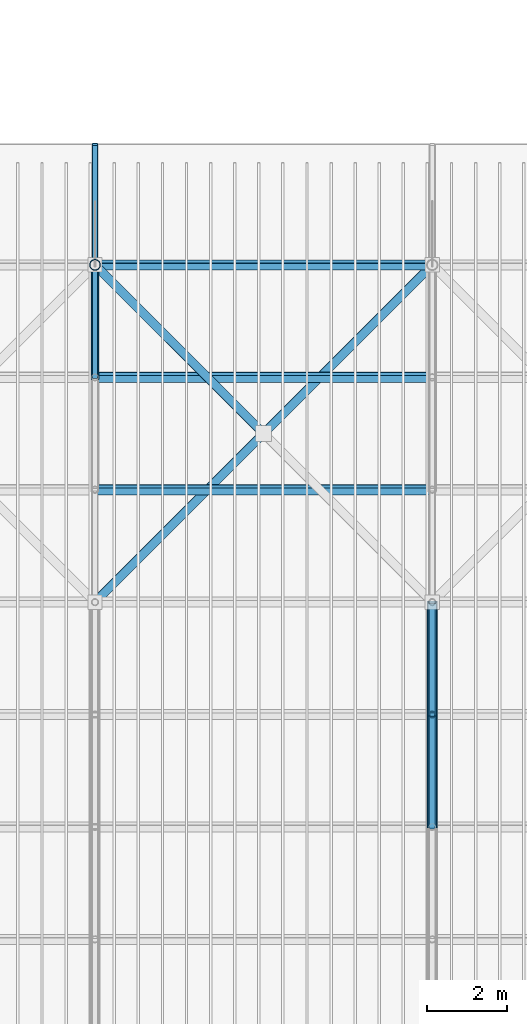
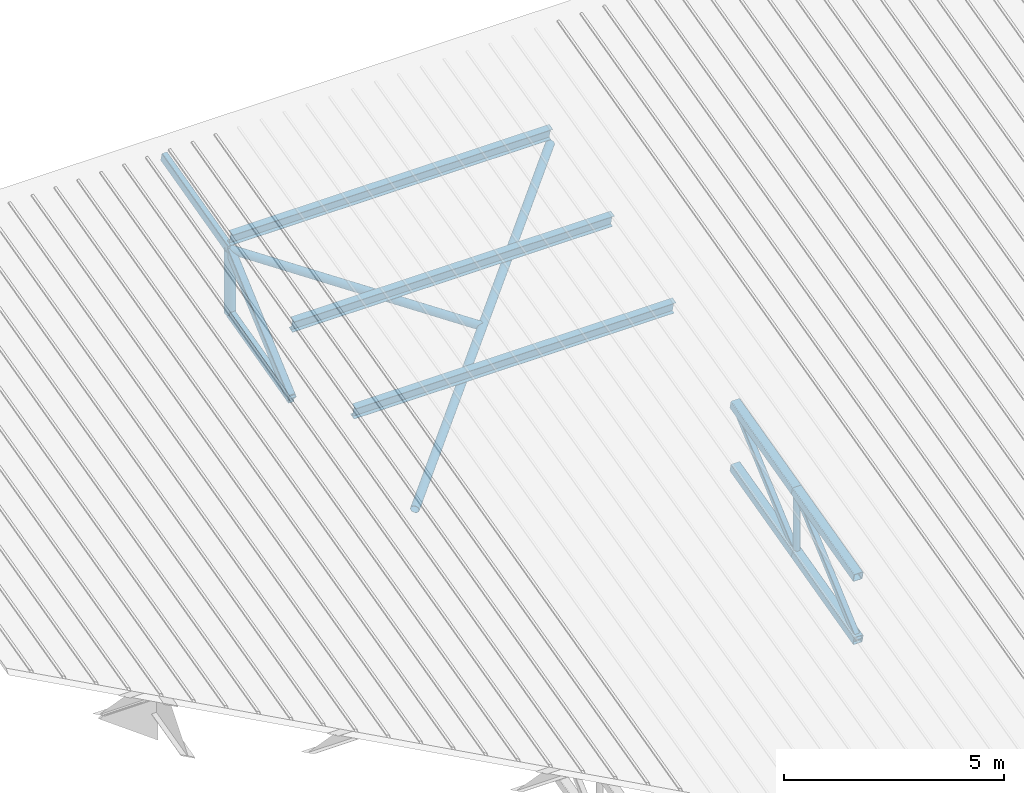
# One storey, part 12 of 114: 16 members.
"""IFC4 building model written with IfcOpenShell, lengths in metres."""

from ifc_helpers import new_model, si_unit, direction, frame, origin, origin_2d, place, context, subcontext, project, spatial, hollow_rectangle, hollow_circle, i_section, extrude, material, material_profile, profile_set, type_object, element, save


model = new_model("IFC4")

# Units and contexts
model_context = context("Model", 3, precision=1e-05, world=origin(), true_north=direction((0.0, 1.0)))
body_context = subcontext(model_context, "Body", "Model", "MODEL_VIEW")
ifc_project = project(units=[si_unit("LENGTHUNIT", "METRE"), si_unit("AREAUNIT", "SQUARE_METRE"), si_unit("VOLUMEUNIT", "CUBIC_METRE"), si_unit("PLANEANGLEUNIT", "RADIAN"), si_unit("MASSUNIT", "GRAM", prefix="KILO")], contexts=[model_context])

# Site, building, storey
site_placement = place(None, origin())
site = spatial("IfcSite", under=ifc_project, at=site_placement, CompositionType="ELEMENT")
building_placement = place(site_placement, origin())
building = spatial("IfcBuilding", under=site, at=building_placement, Name="Almond Square Museum", CompositionType="ELEMENT")
storey_placement = place(building_placement, frame((0.0, 0.0, 10.5)))
storey = spatial("IfcBuildingStorey", under=building, at=storey_placement, Name="L02", CompositionType="ELEMENT", Elevation=10.5)

# Members
ifc_material_1 = material(Name="Structural steel S355", Category="steel")
ifc_material_profile_1 = material_profile(ifc_material_1, hollow_circle(Radius=0.109619140625, WallThickness=0.010009765625, at=origin_2d()))
ifc_profile_set_1 = profile_set([ifc_material_profile_1], Name="Structural steel S355")
member_type_1 = type_object("IfcMemberType", Name="Roof brace CHS 219.1x10", PredefinedType="BRACE", material=ifc_profile_set_1)
member_1_placement = place(storey_placement, frame((14.39990234375, 100.800048828125, 6.9794921875), z_axis=(0.696068249646, 0.69604801922, 0.176085623417), x_axis=(-0.707096505339, 0.707117056885, 0.0)))
element("IfcMember", 1, at=member_1_placement, inside=storey, type_object=member_type_1, Name="Auditorium roof plan brace", PredefinedType="BRACE", context=body_context, shape_type="SweptSolid", body=[
    extrude(hollow_circle(Radius=0.109619140625, WallThickness=0.010009765625, at=origin_2d()), origin(), (0.0, 0.0, 1.0), 12.06787109375),
])
member_2_placement = place(storey_placement, frame((18.60009765625, 105.0, 8.0419921875), z_axis=(-0.696078677987, 0.696038217706, 0.176083143839), x_axis=(-0.70708622964, -0.707127332136, 0.0)))
element("IfcMember", 2, at=member_2_placement, inside=storey, type_object=member_type_1, Name="Auditorium roof plan brace", PredefinedType="BRACE", context=body_context, shape_type="SweptSolid", body=[
    extrude(hollow_circle(Radius=0.109619140625, WallThickness=0.010009765625, at=origin_2d()), origin(), (0.0, 0.0, 1.0), 6.0341796875),
])
ifc_material_2 = material(Name="Structural steel S355", Category="steel")
ifc_material_profile_2 = material_profile(ifc_material_2, i_section(OverallWidth=0.1708984375, OverallDepth=0.35595703125, WebThickness=0.00732421875, FlangeThickness=0.01171875, at=origin_2d()))
ifc_profile_set_2 = profile_set([ifc_material_profile_2], Name="Structural steel S355")
member_type_2 = type_object("IfcMemberType", Name="Steel purlin W360x51", PredefinedType="PURLIN", material=ifc_profile_set_2)
for number, where, z_axis, x_axis, name in (
    (3, (14.39990234375, 103.60009765625, 7.99658203125), (1.0, 0.0, 0.0), (0.0, 0.969459905022, 0.245249857402), "Auditorium purlin 12.2"),
    (4, (14.39990234375, 106.39990234375, 8.704833984375), (1.0, 0.0, 0.0), (0.0, 0.969459905022, 0.245249857402), "Auditorium purlin 13.2"),
    (5, (14.39990234375, 109.199951171875, 9.4130859375), (1.0, 0.0, 0.0), (0.0, 0.969459905022, 0.245249857402), "Auditorium purlin 14.2"),
):
    element("IfcMember", number, at=place(storey_placement, frame(where, z_axis=z_axis, x_axis=x_axis)), inside=storey, type_object=member_type_2, Name=name, PredefinedType="PURLIN", context=body_context, shape_type="SweptSolid", body=[
        extrude(i_section(OverallWidth=0.1708984375, OverallDepth=0.35595703125, WebThickness=0.00732421875, FlangeThickness=0.01171875, at=origin_2d()), origin(), (0.0, 0.0, 1.0), 8.400146484375),
    ])
ifc_material_3 = material(Name="Structural steel S355", Category="steel")
ifc_material_profile_3 = material_profile(ifc_material_3, hollow_rectangle(XDim=0.14990234375, YDim=0.25, WallThickness=0.010009765625, InnerFilletRadius=0.014892578125, OuterFilletRadius=0.02490234375, at=origin_2d()))
ifc_profile_set_3 = profile_set([ifc_material_profile_3], Name="Structural steel S355")
member_type_3 = type_object("IfcMemberType", Name="Truss chord RHS 250x150x10", PredefinedType="CHORD", material=ifc_profile_set_3)
member_3_placement = place(storey_placement, frame((14.39990234375, 106.39990234375, 6.646240234375), z_axis=(0.0, 0.969467521681, 0.245219747179), x_axis=(-1.0, 0.0, 0.0)))
element("IfcMember", 6, at=member_3_placement, inside=storey, type_object=member_type_3, Name="TR-13 bottom chord 12", PredefinedType="CHORD", context=body_context, shape_type="SweptSolid", body=[
    extrude(hollow_rectangle(XDim=0.14990234375, YDim=0.25, WallThickness=0.010009765625, InnerFilletRadius=0.014892578125, OuterFilletRadius=0.02490234375, at=origin_2d()), origin(), (0.0, 0.0, 1.0), 2.88818359375),
])
member_4_placement = place(storey_placement, frame((14.39990234375, 109.199951171875, 9.1044921875), z_axis=(0.0, 0.969451766446, 0.24528202652), x_axis=(-1.0, 0.0, 0.0)))
element("IfcMember", 7, at=member_4_placement, inside=storey, type_object=member_type_3, Name="Auditorium truss 1 north eave chord", PredefinedType="CHORD", context=body_context, shape_type="SweptSolid", body=[
    extrude(hollow_rectangle(XDim=0.14990234375, YDim=0.25, WallThickness=0.010009765625, InnerFilletRadius=0.014892578125, OuterFilletRadius=0.02490234375, at=origin_2d()), origin(), (0.0, 0.0, 1.0), 3.094482421875),
])
ifc_material_4 = material(Name="Structural steel S355", Category="steel")
ifc_material_profile_4 = material_profile(ifc_material_4, hollow_rectangle(XDim=0.25, YDim=0.25, WallThickness=0.012451171875, InnerFilletRadius=0.02490234375, OuterFilletRadius=0.03759765625, at=origin_2d()))
ifc_profile_set_4 = profile_set([ifc_material_profile_4], Name="Structural steel S355")
member_type_4 = type_object("IfcMemberType", Name="Truss chord SHS 250x250x12.5", PredefinedType="CHORD", material=ifc_profile_set_4)
for number, where, z_axis, x_axis, name in (
    (8, (22.800048828125, 95.199951171875, 5.56298828125), (0.0, 0.969467521681, 0.245219747179), (-1.0, 0.0, 0.0), "TR-14 top chord 8"),
    (9, (22.800048828125, 95.199951171875, 3.81298828125), (0.0, 0.969467521681, 0.245219747179), (-1.0, 0.0, 0.0), "TR-14 bottom chord 8"),
    (10, (22.800048828125, 98.0, 6.271240234375), (0.0, 0.969467521681, 0.245219747179), (-1.0, 0.0, 0.0), "TR-14 top chord 9"),
    (11, (22.800048828125, 98.0, 4.521240234375), (0.0, 0.969467521681, 0.245219747179), (-1.0, 0.0, 0.0), "TR-14 bottom chord 9"),
):
    element("IfcMember", number, at=place(storey_placement, frame(where, z_axis=z_axis, x_axis=x_axis)), inside=storey, type_object=member_type_4, Name=name, PredefinedType="CHORD", context=body_context, shape_type="SweptSolid", body=[
        extrude(hollow_rectangle(XDim=0.25, YDim=0.25, WallThickness=0.012451171875, InnerFilletRadius=0.02490234375, OuterFilletRadius=0.03759765625, at=origin_2d()), origin(), (0.0, 0.0, 1.0), 2.88818359375),
    ])
ifc_material_5 = material(Name="Structural steel S355", Category="steel")
ifc_material_profile_5 = material_profile(ifc_material_5, hollow_rectangle(XDim=0.14990234375, YDim=0.14990234375, WallThickness=0.008056640625, InnerFilletRadius=0.011962890625, OuterFilletRadius=0.02001953125, at=origin_2d()))
ifc_profile_set_5 = profile_set([ifc_material_profile_5], Name="Structural steel S355")
member_type_5 = type_object("IfcMemberType", Name="Truss diagonal SHS 150x150x8", PredefinedType="BRACE", material=ifc_profile_set_5)
for number, where, z_axis, x_axis, name in (
    (12, (22.800048828125, 95.199951171875, 3.81298828125), (0.0, 0.751483802729, 0.659751539775), (-1.0, 0.0, 0.0), "TR-14 diagonal 8"),
    (13, (22.800048828125, 98.0, 4.521240234375), (0.0, 0.751483802729, 0.659751539775), (-1.0, 0.0, 0.0), "TR-14 diagonal 9"),
):
    element("IfcMember", number, at=place(storey_placement, frame(where, z_axis=z_axis, x_axis=x_axis)), inside=storey, type_object=member_type_5, Name=name, PredefinedType="BRACE", context=body_context, shape_type="SweptSolid", body=[
        extrude(hollow_rectangle(XDim=0.14990234375, YDim=0.14990234375, WallThickness=0.008056640625, InnerFilletRadius=0.011962890625, OuterFilletRadius=0.02001953125, at=origin_2d()), origin(), (0.0, 0.0, 1.0), 3.72607421875),
    ])
ifc_material_6 = material(Name="Structural steel S355", Category="steel")
ifc_material_profile_6 = material_profile(ifc_material_6, hollow_rectangle(XDim=0.199951171875, YDim=0.199951171875, WallThickness=0.010009765625, InnerFilletRadius=0.014892578125, OuterFilletRadius=0.02490234375, at=origin_2d()))
ifc_profile_set_6 = profile_set([ifc_material_profile_6], Name="Structural steel S355")
member_type_6 = type_object("IfcMemberType", Name="Truss diagonal SHS 200x200x10", PredefinedType="BRACE", material=ifc_profile_set_6)
member_5_placement = place(storey_placement, frame((14.39990234375, 106.39990234375, 6.646240234375), z_axis=(0.0, 0.751483802729, 0.659751539775), x_axis=(-1.0, 0.0, 0.0)))
element("IfcMember", 14, at=member_5_placement, inside=storey, type_object=member_type_6, Name="TR-13 diagonal 12", PredefinedType="BRACE", context=body_context, shape_type="SweptSolid", body=[
    extrude(hollow_rectangle(XDim=0.199951171875, YDim=0.199951171875, WallThickness=0.010009765625, InnerFilletRadius=0.014892578125, OuterFilletRadius=0.02490234375, at=origin_2d()), origin(), (0.0, 0.0, 1.0), 3.72607421875),
])
ifc_material_7 = material(Name="Structural steel S355", Category="steel")
ifc_material_profile_7 = material_profile(ifc_material_7, hollow_circle(Radius=0.084228515625, WallThickness=0.008056640625, at=origin_2d()))
ifc_profile_set_7 = profile_set([ifc_material_profile_7], Name="Structural steel S355")
member_type_7 = type_object("IfcMemberType", Name="Truss post CHS 168.3x8", PredefinedType="POST", material=ifc_profile_set_7)
member_6_placement = place(storey_placement, frame((22.800048828125, 98.0, 4.521240234375), z_axis=(0.0, 0.0, 1.0), x_axis=(1.0, 0.0, 0.0)))
element("IfcMember", 15, at=member_6_placement, inside=storey, type_object=member_type_7, Name="TR-14 post 9", PredefinedType="POST", context=body_context, shape_type="SweptSolid", body=[
    extrude(hollow_circle(Radius=0.084228515625, WallThickness=0.008056640625, at=origin_2d()), origin(), (0.0, 0.0, 1.0), 1.75),
])
ifc_material_8 = material(Name="Structural steel S355", Category="steel")
ifc_material_profile_8 = material_profile(ifc_material_8, hollow_circle(Radius=0.136474609375, WallThickness=0.012451171875, at=origin_2d()))
ifc_profile_set_8 = profile_set([ifc_material_profile_8], Name="Structural steel S355")
member_type_8 = type_object("IfcMemberType", Name="Truss post CHS 273x12.5", PredefinedType="POST", material=ifc_profile_set_8)
member_7_placement = place(storey_placement, frame((14.39990234375, 109.199951171875, 7.3544921875), z_axis=(0.0, 0.0, 1.0), x_axis=(1.0, 0.0, 0.0)))
element("IfcMember", 16, at=member_7_placement, inside=storey, type_object=member_type_8, Name="TR-13 post 13", PredefinedType="POST", context=body_context, shape_type="SweptSolid", body=[
    extrude(hollow_circle(Radius=0.136474609375, WallThickness=0.012451171875, at=origin_2d()), origin(), (0.0, 0.0, 1.0), 1.75),
])

save(model, "model.ifc")
